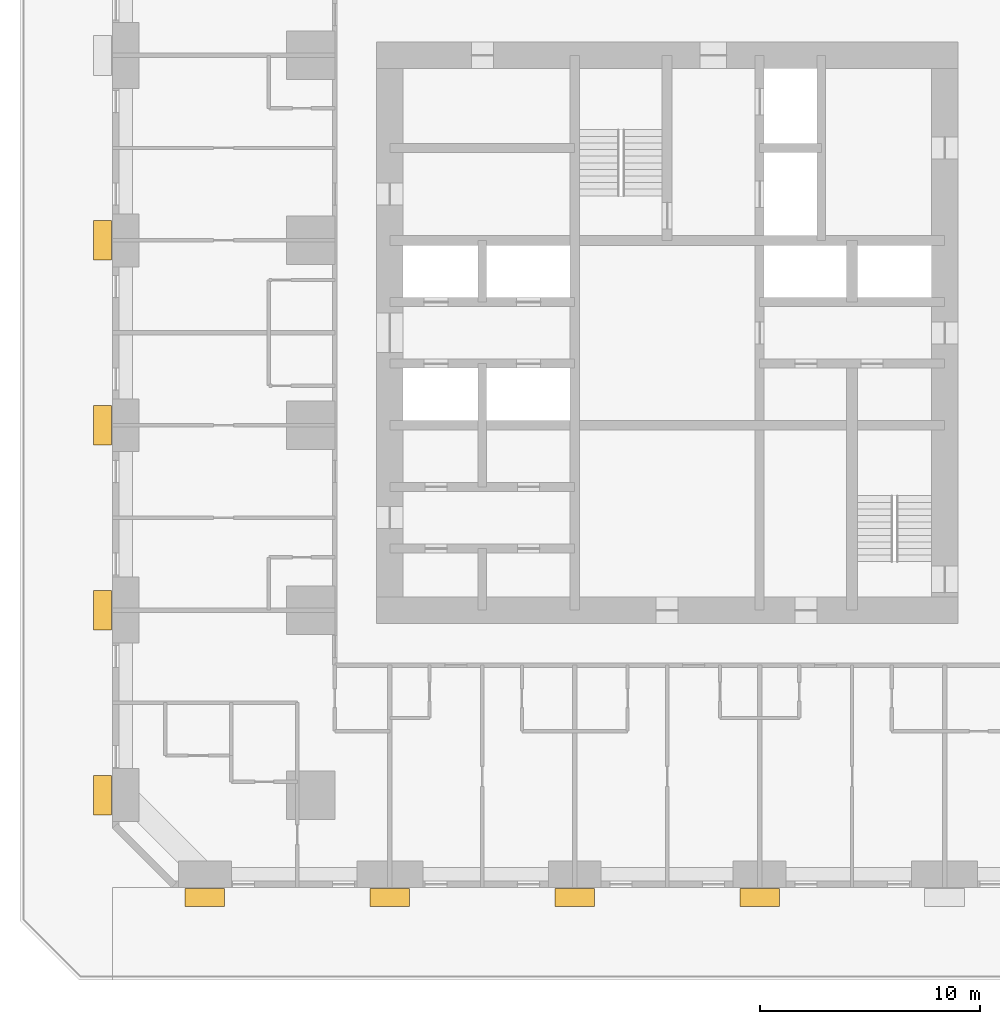
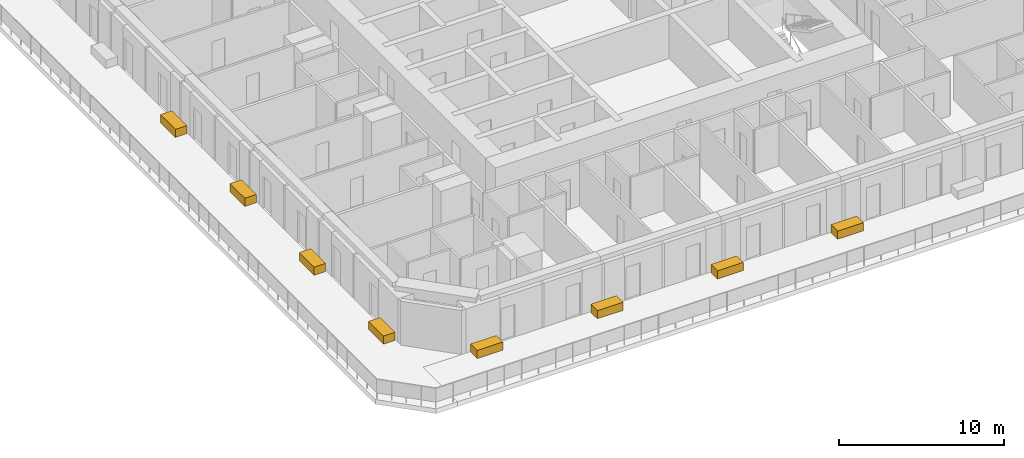
# One storey, part 13 of 14: 8 coverings.
"""IFC4 building model written with IfcOpenShell, lengths in metres."""

from ifc_helpers import new_model, si_unit, direction, frame, origin, origin_2d, place, context, subcontext, project, spatial, rectangle, extrude, material, type_object, element, save


model = new_model("IFC4")

# Units and contexts
model_context = context("Model", 3, precision=1e-05, world=origin(), true_north=direction((0.0, 1.0)))
body_context = subcontext(model_context, "Body", "Model", "MODEL_VIEW")
ifc_project = project(units=[si_unit("LENGTHUNIT", "METRE"), si_unit("AREAUNIT", "SQUARE_METRE"), si_unit("VOLUMEUNIT", "CUBIC_METRE"), si_unit("PLANEANGLEUNIT", "RADIAN"), si_unit("MASSUNIT", "GRAM", prefix="KILO")], contexts=[model_context])

# Site, building, storey
site_placement = place(None, origin())
site = spatial("IfcSite", under=ifc_project, at=site_placement, CompositionType="ELEMENT")
building_placement = place(site_placement, origin())
building = spatial("IfcBuilding", under=site, at=building_placement, Name="Dunama Terrace Hotel", CompositionType="ELEMENT")
storey_placement = place(building_placement, frame((0.0, 0.0, 159.0)))
storey = spatial("IfcBuildingStorey", under=building, at=storey_placement, Name="L40", CompositionType="ELEMENT", Elevation=159.0)

# Coverings
ifc_material = material(Name="Precast concrete planter", Category="concrete")
covering_type = type_object("IfcCoveringType", Name="Terrace planter 600", PredefinedType="USERDEFINED", material=ifc_material)
for number, where, z_axis, x_axis, name in (
    (1, (3.75, 8.39990234375, 0.0), (0.0, 0.0, 1.0), (1.0, 0.0, 0.0), "Terrace planter L40"),
    (2, (3.75, 16.800048828125, 0.0), (0.0, 0.0, 1.0), (1.0, 0.0, 0.0), "Terrace planter L40"),
    (3, (3.75, 25.199951171875, 0.0), (0.0, 0.0, 1.0), (1.0, 0.0, 0.0), "Terrace planter L40"),
    (4, (3.75, 33.60009765625, 0.0), (0.0, 0.0, 1.0), (1.0, 0.0, 0.0), "Terrace planter L40"),
):
    element("IfcCovering", number, at=place(storey_placement, frame(where, z_axis=z_axis, x_axis=x_axis)), inside=storey, type_object=covering_type, Name=name, ObjectType="PLANTER", PredefinedType="USERDEFINED", context=body_context, shape_type="SweptSolid", body=[
        extrude(rectangle(XDim=0.800048828125, YDim=1.800048828125, at=origin_2d()), origin(), (0.0, 0.0, 1.0), 0.60009765625),
    ])
for number, where, z_axis, x_axis, name in (
    (5, (8.39990234375, 3.75, 0.0), (0.0, 0.0, 1.0), (1.0, 0.0, 0.0), "Terrace planter L40"),
    (6, (16.800048828125, 3.75, 0.0), (0.0, 0.0, 1.0), (1.0, 0.0, 0.0), "Terrace planter L40"),
    (7, (25.199951171875, 3.75, 0.0), (0.0, 0.0, 1.0), (1.0, 0.0, 0.0), "Terrace planter L40"),
    (8, (33.60009765625, 3.75, 0.0), (0.0, 0.0, 1.0), (1.0, 0.0, 0.0), "Terrace planter L40"),
):
    element("IfcCovering", number, at=place(storey_placement, frame(where, z_axis=z_axis, x_axis=x_axis)), inside=storey, type_object=covering_type, Name=name, ObjectType="PLANTER", PredefinedType="USERDEFINED", context=body_context, shape_type="SweptSolid", body=[
        extrude(rectangle(XDim=1.800048828125, YDim=0.800048828125, at=origin_2d()), origin(), (0.0, 0.0, 1.0), 0.60009765625),
    ])

save(model, "model.ifc")
